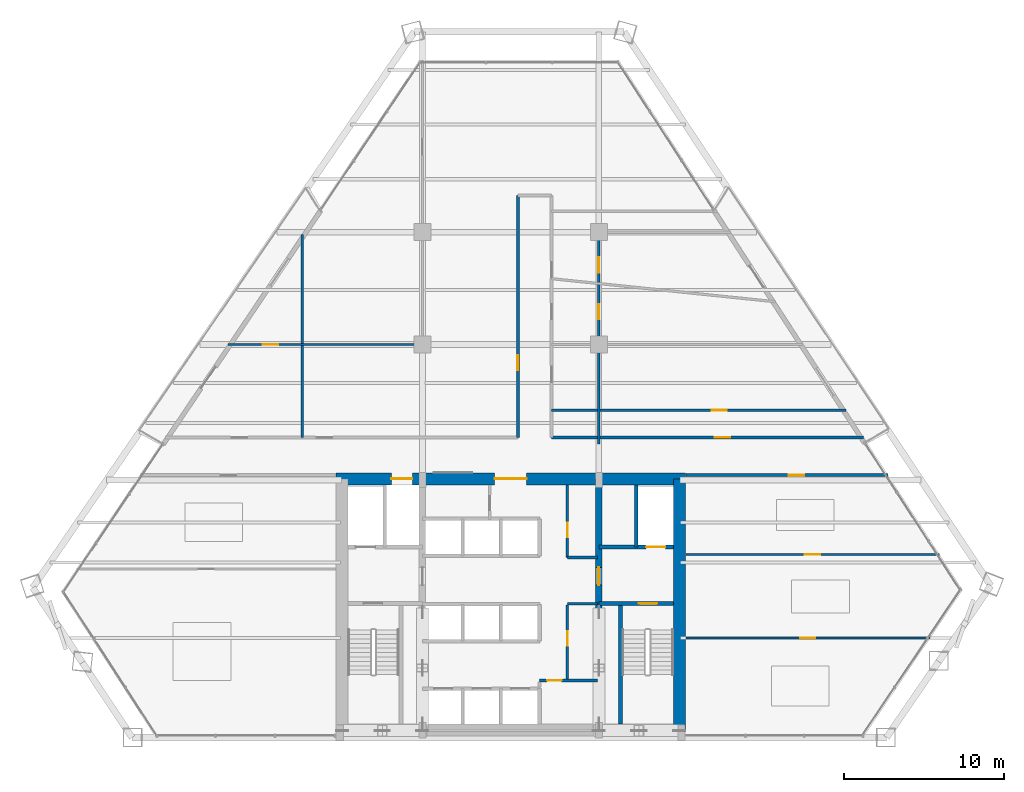
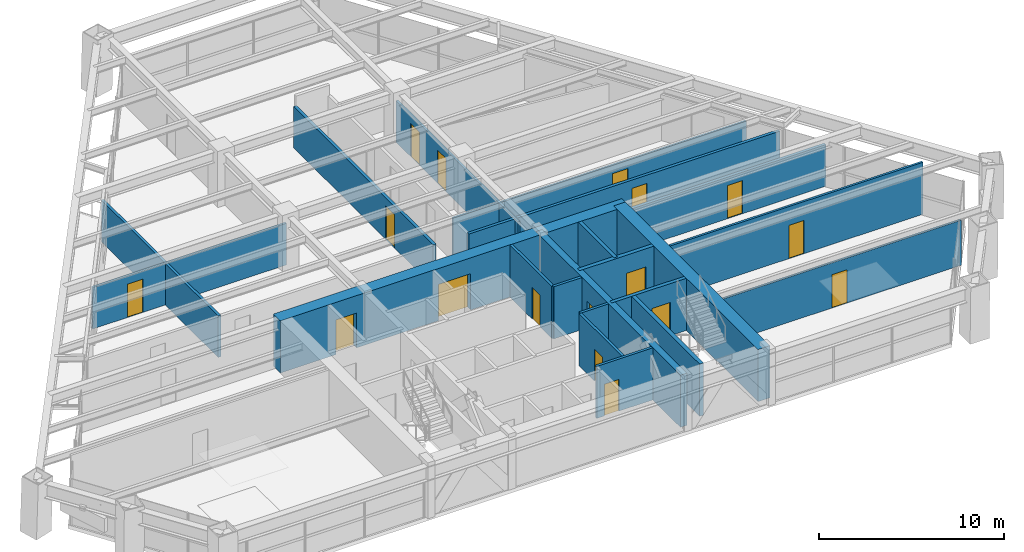
# One storey, part 11 of 14: 21 walls, 17 doors, 17 openings.
"""IFC4 building model written with IfcOpenShell, lengths in metres."""

from ifc_helpers import new_model, si_unit, direction, frame, frame_2d, origin, place, context, subcontext, project, spatial, rectangle, extrude, source, transform, mapped, material, layer, layer_set, type_object, type_shapes, element, fill, save


model = new_model("IFC4")

# Units and contexts
model_context = context("Model", 3, precision=1e-05, world=origin(), true_north=direction((0.0, 1.0)))
body_context = subcontext(model_context, "Body", "Model", "MODEL_VIEW")
ifc_project = project(units=[si_unit("LENGTHUNIT", "METRE"), si_unit("AREAUNIT", "SQUARE_METRE"), si_unit("VOLUMEUNIT", "CUBIC_METRE"), si_unit("PLANEANGLEUNIT", "RADIAN"), si_unit("MASSUNIT", "GRAM", prefix="KILO")], contexts=[model_context])

# Site, building, storey
site_placement = place(None, origin())
site = spatial("IfcSite", under=ifc_project, at=site_placement, CompositionType="ELEMENT")
building_placement = place(site_placement, origin())
building = spatial("IfcBuilding", under=site, at=building_placement, Name="Varnakhor Terracotta Tower", CompositionType="ELEMENT")
storey_placement = place(building_placement, frame((0.0, 0.0, 91.39990234375)))
storey = spatial("IfcBuildingStorey", under=building, at=storey_placement, Name="L22", CompositionType="ELEMENT", Elevation=91.39990234375)

# Wall, openings, doors
ifc_material_1 = material(Name="Concrete C60/75", Category="concrete")
ifc_layer_1 = layer(ifc_material_1, 0.75, Name="Concrete C60/75")
ifc_layer_set_1 = layer_set([ifc_layer_1], Name="Concrete C60/75")
wall_type_1 = type_object("IfcWallType", Name="WAL-CORE-750", PredefinedType="SHEAR", material=ifc_layer_set_1)
wall_1_placement = place(storey_placement, frame((-10.89990234375, 16.125, 0.0), z_axis=(0.0, 0.0, 1.0), x_axis=(1.0, 0.0, 0.0)))
wall_1 = element("IfcWall", 1, at=wall_1_placement, inside=storey, type_object=wall_type_1, Name="L22 North Core Shear Wall", PredefinedType="SHEAR", context=body_context, shape_type="SweptSolid", body=[
    extrude(rectangle(XDim=21.7998046875, YDim=0.75, at=frame_2d((10.89990234375, 0.0))), origin(), (0.0, 0.0, 1.0), 3.4501953125),
])
opening_1_placement = place(wall_1_placement, frame((3.469970703125, 0.0, 0.0)))
opening_1 = element("IfcOpeningElement", 2, at=opening_1_placement, cuts=wall_1, Name="Opening LD-03", PredefinedType="OPENING", context=body_context, shape_type="SweptSolid", body=[
    extrude(rectangle(XDim=1.300048828125, YDim=2.300048828125, at=frame_2d((0.64990234375, 1.14990234375))), frame((0.0, 0.385009765625, 0.0), z_axis=(0.0, -1.0, 0.0), x_axis=(1.0, 0.0, 0.0)), (0.0, 0.0, 1.0), 0.77001953125),
])
opening_2_placement = place(wall_1_placement, frame((9.89990234375, 0.0, 0.0)))
opening_2 = element("IfcOpeningElement", 3, at=opening_2_placement, cuts=wall_1, Name="Opening DR-32", PredefinedType="OPENING", context=body_context, shape_type="SweptSolid", body=[
    extrude(rectangle(XDim=2.0, YDim=2.39990234375, at=frame_2d((1.0, 1.199951171875))), frame((0.0, 0.385009765625, 0.0), z_axis=(0.0, -1.0, 0.0), x_axis=(1.0, 0.0, 0.0)), (0.0, 0.0, 1.0), 0.77001953125),
])
ifc_material_2 = material(Name="Heavy-Duty Goods Sliding Lift Landing Door", Category="steel")
door_type_1 = type_object("IfcDoorType", Name="LD-SRV-1300X2300", OperationType="NOTDEFINED", PredefinedType="DOOR", material=ifc_material_2)
shared_shape_1 = source(origin(), body_context, "Body", "SweptSolid", [
    extrude(rectangle(XDim=1.300048828125, YDim=2.300048828125, at=frame_2d((0.64990234375, 1.14990234375))), frame((0.0, 0.02490234375, 0.0), z_axis=(0.0, -1.0, 0.0), x_axis=(1.0, 0.0, 0.0)), (0.0, 0.0, 1.0), 0.050048828125),
])
type_shapes(door_type_1, [shared_shape_1])
door_1_placement = place(opening_1_placement, origin())
door_1 = element("IfcDoor", 4, at=door_1_placement, inside=storey, type_object=door_type_1, Name="L22 Service Lift SVL-1 Landing Door", OperationType="SLIDING_TO_RIGHT", OverallHeight=2.300048828125, OverallWidth=1.300048828125, PredefinedType="DOOR", context=body_context, shape_type="MappedRepresentation", body=[
    mapped(shared_shape_1, transform((0.0, 0.0, 0.0), scale=1.0)),
])
fill(opening_1, door_1)
ifc_material_3 = material(Name="Acoustic Double Assembly Fire Door", Category="wood")
door_type_2 = type_object("IfcDoorType", Name="DR-HALL-2000X2400", OperationType="NOTDEFINED", PredefinedType="DOOR", material=ifc_material_3)
shared_shape_2 = source(origin(), body_context, "Body", "SweptSolid", [
    extrude(rectangle(XDim=2.0, YDim=2.39990234375, at=frame_2d((1.0, 1.199951171875))), frame((0.0, 0.02490234375, 0.0), z_axis=(0.0, -1.0, 0.0), x_axis=(1.0, 0.0, 0.0)), (0.0, 0.0, 1.0), 0.050048828125),
])
type_shapes(door_type_2, [shared_shape_2])
door_2_placement = place(opening_2_placement, origin())
door_2 = element("IfcDoor", 5, at=door_2_placement, inside=storey, type_object=door_type_2, Name="L22 Core Main Lobby Double Door", OperationType="DOUBLE_DOOR_SINGLE_SWING", OverallHeight=2.39990234375, OverallWidth=2.0, PredefinedType="DOOR", context=body_context, shape_type="MappedRepresentation", body=[
    mapped(shared_shape_2, transform((0.0, 0.0, 0.0), scale=1.0)),
])
fill(opening_2, door_2)

# Wall
wall_2_placement = place(storey_placement, frame((10.52490234375, 0.47509765625, 0.0), z_axis=(0.0, 0.0, 1.0), x_axis=(0.0, 1.0, 0.0)))
element("IfcWall", 6, at=wall_2_placement, inside=storey, type_object=wall_type_1, Name="L22 East Core Shear Wall", PredefinedType="SHEAR", context=body_context, shape_type="SweptSolid", body=[
    extrude(rectangle(XDim=15.64990234375, YDim=0.75, at=frame_2d((7.824951171875, 0.0))), origin(), (0.0, 0.0, 1.0), 3.4501953125),
])

# Wall, opening, door
ifc_material_4 = material(Name="Concrete C50/60", Category="concrete")
ifc_layer_2 = layer(ifc_material_4, 0.39990234375, Name="Concrete C50/60")
ifc_layer_set_2 = layer_set([ifc_layer_2], Name="Concrete C50/60")
wall_type_2 = type_object("IfcWallType", Name="WAL-CORE-WEB-400", PredefinedType="SHEAR", material=ifc_layer_set_2)
wall_3_placement = place(storey_placement, frame((5.5, 0.47509765625, 0.0), z_axis=(0.0, 0.0, 1.0), x_axis=(0.0, 1.0, 0.0)))
wall_3 = element("IfcWall", 7, at=wall_3_placement, inside=storey, type_object=wall_type_2, Name="L22 East Core Web Shear Wall", PredefinedType="SHEAR", context=body_context, shape_type="SweptSolid", body=[
    extrude(rectangle(XDim=15.64990234375, YDim=0.39990234375, at=frame_2d((7.824951171875, 0.0))), origin(), (0.0, 0.0, 1.0), 3.4501953125),
])
opening_3_placement = place(wall_3_placement, frame((9.02490234375, 0.0, 0.0)))
opening_3 = element("IfcOpeningElement", 8, at=opening_3_placement, cuts=wall_3, Name="Opening DR-25", PredefinedType="OPENING", context=body_context, shape_type="SweptSolid", body=[
    extrude(rectangle(XDim=1.10009765625, YDim=2.199951171875, at=frame_2d((0.550048828125, 1.10009765625))), frame((0.0, 0.2099609375, 0.0), z_axis=(0.0, -1.0, 0.0), x_axis=(1.0, 0.0, 0.0)), (0.0, 0.0, 1.0), 0.419921875),
])
ifc_material_5 = material(Name="Firefighting Lobby Self-Closing Fire Door", Category="steel")
door_type_3 = type_object("IfcDoorType", Name="DR-FFL-1100X2200", OperationType="NOTDEFINED", PredefinedType="DOOR", material=ifc_material_5)
shared_shape_3 = source(origin(), body_context, "Body", "SweptSolid", [
    extrude(rectangle(XDim=1.10009765625, YDim=2.199951171875, at=frame_2d((0.550048828125, 1.10009765625))), frame((0.0, 0.02490234375, 0.0), z_axis=(0.0, -1.0, 0.0), x_axis=(1.0, 0.0, 0.0)), (0.0, 0.0, 1.0), 0.050048828125),
])
type_shapes(door_type_3, [shared_shape_3])
door_3_placement = place(opening_3_placement, origin())
door_3 = element("IfcDoor", 9, at=door_3_placement, inside=storey, type_object=door_type_3, Name="L22 East Firefighting Lobby Door", OperationType="SINGLE_SWING_RIGHT", OverallHeight=2.199951171875, OverallWidth=1.10009765625, PredefinedType="DOOR", context=body_context, shape_type="MappedRepresentation", body=[
    mapped(shared_shape_3, transform((0.0, 0.0, 0.0), scale=1.0)),
])
fill(opening_3, door_3)

ifc_material_6 = material(Name="Fire-Rated Gypsum Stud Partition", Category="gypsum")
ifc_layer_3 = layer(ifc_material_6, 0.18505859375, Name="Fire-Rated Gypsum Stud Partition")
ifc_layer_set_3 = layer_set([ifc_layer_3], Name="Fire-Rated Gypsum Stud Partition")
wall_type_3 = type_object("IfcWallType", Name="WAL-CORR-185", PredefinedType="PARTITIONING", material=ifc_layer_set_3)
wall_4_placement = place(storey_placement, frame((10.919921875, 16.35009765625, 0.0), z_axis=(0.0, 0.0, 1.0), x_axis=(1.0, 0.0, 0.0)))
wall_4 = element("IfcWall", 10, at=wall_4_placement, inside=storey, type_object=wall_type_3, Name="L22 South East Corridor Wall", PredefinedType="PARTITIONING", context=body_context, shape_type="SweptSolid", body=[
    extrude(rectangle(XDim=12.60009765625, YDim=0.18505859375, at=frame_2d((6.300048828125, 0.0))), origin(), (0.0, 0.0, 1.0), 2.7470703125),
])
opening_4_placement = place(wall_4_placement, frame((6.4208984375, 0.0, 0.0)))
opening_4 = element("IfcOpeningElement", 11, at=opening_4_placement, cuts=wall_4, Name="Opening DR-94", PredefinedType="OPENING", context=body_context, shape_type="SweptSolid", body=[
    extrude(rectangle(XDim=0.949951171875, YDim=2.199951171875, at=frame_2d((0.47509765625, 1.10009765625))), frame((0.0, 0.1025390625, 0.0), z_axis=(0.0, -1.0, 0.0), x_axis=(1.0, 0.0, 0.0)), (0.0, 0.0, 1.0), 0.205078125),
])
ifc_material_7 = material(Name="Acoustic Glazed-Vision Timber Office Door", Category="wood")
door_type_4 = type_object("IfcDoorType", Name="DR-OFF-950X2200", OperationType="NOTDEFINED", PredefinedType="DOOR", material=ifc_material_7)
shared_shape_4 = source(origin(), body_context, "Body", "SweptSolid", [
    extrude(rectangle(XDim=0.949951171875, YDim=2.199951171875, at=frame_2d((0.47509765625, 1.10009765625))), frame((0.0, 0.02490234375, 0.0), z_axis=(0.0, -1.0, 0.0), x_axis=(1.0, 0.0, 0.0)), (0.0, 0.0, 1.0), 0.050048828125),
])
type_shapes(door_type_4, [shared_shape_4])
door_4_placement = place(opening_4_placement, origin())
door_4 = element("IfcDoor", 12, at=door_4_placement, inside=storey, type_object=door_type_4, Name="L22 SE Suite Door", OperationType="SINGLE_SWING_RIGHT", OverallHeight=2.199951171875, OverallWidth=0.949951171875, PredefinedType="DOOR", context=body_context, shape_type="MappedRepresentation", body=[
    mapped(shared_shape_4, transform((0.0, 0.0, 0.0), scale=1.0)),
])
fill(opening_4, door_4)

wall_5_placement = place(storey_placement, frame((2.550048828125, 18.699951171875, 0.0), z_axis=(0.0, 0.0, 1.0), x_axis=(1.0, 0.0, 0.0)))
wall_5 = element("IfcWall", 13, at=wall_5_placement, inside=storey, type_object=wall_type_3, Name="L22 Corridor North East Wall", PredefinedType="PARTITIONING", context=body_context, shape_type="SweptSolid", body=[
    extrude(rectangle(XDim=19.445556640625, YDim=0.18505859375, at=frame_2d((9.72265625, 0.0))), origin(), (0.0, 0.0, 1.0), 2.7470703125),
])
opening_5_placement = place(wall_5_placement, frame((10.18603515625, 0.0, 0.0)))
opening_5 = element("IfcOpeningElement", 14, at=opening_5_placement, cuts=wall_5, Name="Opening DR-94", PredefinedType="OPENING", context=body_context, shape_type="SweptSolid", body=[
    extrude(rectangle(XDim=0.949951171875, YDim=2.199951171875, at=frame_2d((0.47509765625, 1.10009765625))), frame((0.0, 0.1025390625, 0.0), z_axis=(0.0, -1.0, 0.0), x_axis=(1.0, 0.0, 0.0)), (0.0, 0.0, 1.0), 0.205078125),
])
door_5_placement = place(opening_5_placement, origin())
door_5 = element("IfcDoor", 15, at=door_5_placement, inside=storey, type_object=door_type_4, Name="L22 East Workplace Door", OperationType="SINGLE_SWING_RIGHT", OverallHeight=2.199951171875, OverallWidth=0.949951171875, PredefinedType="DOOR", context=body_context, shape_type="MappedRepresentation", body=[
    mapped(shared_shape_4, transform((0.0, 0.0, 0.0), scale=1.0)),
])
fill(opening_5, door_5)

wall_6_placement = place(storey_placement, frame((0.449951171875, 18.699951171875, 0.0), z_axis=(0.0, 0.0, 1.0), x_axis=(0.0, 1.0, 0.0)))
wall_6 = element("IfcWall", 16, at=wall_6_placement, inside=storey, type_object=wall_type_3, Name="L22 Spine West Wall", PredefinedType="PARTITIONING", context=body_context, shape_type="SweptSolid", body=[
    extrude(rectangle(XDim=15.10009765625, YDim=0.18505859375, at=frame_2d((7.550048828125, 0.0))), origin(), (0.0, 0.0, 1.0), 2.7470703125),
])
opening_6_placement = place(wall_6_placement, frame((4.19091796875, 0.0, 0.0)))
opening_6 = element("IfcOpeningElement", 17, at=opening_6_placement, cuts=wall_6, Name="Opening DR-94", PredefinedType="OPENING", context=body_context, shape_type="SweptSolid", body=[
    extrude(rectangle(XDim=0.949951171875, YDim=2.199951171875, at=frame_2d((0.47509765625, 1.10009765625))), frame((0.0, 0.1025390625, 0.0), z_axis=(0.0, -1.0, 0.0), x_axis=(1.0, 0.0, 0.0)), (0.0, 0.0, 1.0), 0.205078125),
])
door_6_placement = place(opening_6_placement, origin())
door_6 = element("IfcDoor", 18, at=door_6_placement, inside=storey, type_object=door_type_4, Name="L22 Spine West Door", OperationType="SINGLE_SWING_LEFT", OverallHeight=2.199951171875, OverallWidth=0.949951171875, PredefinedType="DOOR", context=body_context, shape_type="MappedRepresentation", body=[
    mapped(shared_shape_4, transform((0.0, 0.0, 0.0), scale=1.0)),
])
fill(opening_6, door_6)

ifc_material_8 = material(Name="Concrete C40/50", Category="concrete")
ifc_layer_4 = layer(ifc_material_8, 0.219970703125, Name="Concrete C40/50")
ifc_layer_set_4 = layer_set([ifc_layer_4], Name="Concrete C40/50")
wall_type_4 = type_object("IfcWallType", Name="WAL-FFLOBBY-220", PredefinedType="SOLIDWALL", material=ifc_layer_set_4)
wall_7_placement = place(storey_placement, frame((10.14990234375, 8.35009765625, 0.0), z_axis=(0.0, 0.0, 1.0), x_axis=(-1.0, 0.0, 0.0)))
wall_7 = element("IfcWall", 19, at=wall_7_placement, inside=storey, type_object=wall_type_4, Name="L22 East Firefighting Lobby Stair Wall", PredefinedType="SOLIDWALL", context=body_context, shape_type="SweptSolid", body=[
    extrude(rectangle(XDim=4.64990234375, YDim=0.219970703125, at=frame_2d((2.324951171875, 0.0))), origin(), (0.0, 0.0, 1.0), 3.4501953125),
])
opening_7_placement = place(wall_7_placement, frame((1.0, 0.0, 0.0)))
opening_7 = element("IfcOpeningElement", 20, at=opening_7_placement, cuts=wall_7, Name="Opening DR-34", PredefinedType="OPENING", context=body_context, shape_type="SweptSolid", body=[
    extrude(rectangle(XDim=1.14990234375, YDim=2.199951171875, at=frame_2d((0.574951171875, 1.10009765625))), frame((0.0, 0.1201171875, 0.0), z_axis=(0.0, -1.0, 0.0), x_axis=(1.0, 0.0, 0.0)), (0.0, 0.0, 1.0), 0.239990234375),
])
ifc_material_9 = material(Name="Self-Closing Smoke-Sealed Steel Fire Door", Category="steel")
door_type_5 = type_object("IfcDoorType", Name="DR-STAIR-1150X2200", OperationType="NOTDEFINED", PredefinedType="DOOR", material=ifc_material_9)
shared_shape_5 = source(origin(), body_context, "Body", "SweptSolid", [
    extrude(rectangle(XDim=1.14990234375, YDim=2.199951171875, at=frame_2d((0.574951171875, 1.10009765625))), frame((0.0, 0.02490234375, 0.0), z_axis=(0.0, -1.0, 0.0), x_axis=(1.0, 0.0, 0.0)), (0.0, 0.0, 1.0), 0.050048828125),
])
type_shapes(door_type_5, [shared_shape_5])
door_7_placement = place(opening_7_placement, origin())
door_7 = element("IfcDoor", 21, at=door_7_placement, inside=storey, type_object=door_type_5, Name="L22 Exit Stair ST-2 Fire Door", OperationType="SINGLE_SWING_LEFT", OverallHeight=2.199951171875, OverallWidth=1.14990234375, PredefinedType="DOOR", context=body_context, shape_type="MappedRepresentation", body=[
    mapped(shared_shape_5, transform((0.0, 0.0, 0.0), scale=1.0)),
])
fill(opening_7, door_7)

# Wall, openings, doors
ifc_material_10 = material(Name="Acoustic Metal-Stud Partition", Category="gypsum")
ifc_layer_5 = layer(ifc_material_10, 0.139892578125, Name="Acoustic Metal-Stud Partition")
ifc_layer_set_5 = layer_set([ifc_layer_5], Name="Acoustic Metal-Stud Partition")
wall_type_5 = type_object("IfcWallType", Name="WAL-PART-140", PredefinedType="PARTITIONING", material=ifc_layer_set_5)
wall_8_placement = place(storey_placement, frame((5.5, 18.300048828125, 0.0), z_axis=(0.0, 0.0, 1.0), x_axis=(0.0, 1.0, 0.0)))
wall_8 = element("IfcWall", 22, at=wall_8_placement, inside=storey, type_object=wall_type_5, Name="L22 East Lower Column Wall", PredefinedType="PARTITIONING", context=body_context, shape_type="SweptSolid", body=[
    extrude(rectangle(XDim=13.199951171875, YDim=0.139892578125, at=frame_2d((6.60009765625, 0.0))), origin(), (0.0, 0.0, 1.0), 2.7470703125),
])
opening_8_placement = place(wall_8_placement, frame((10.679443359375, 0.0, 0.0)))
opening_8 = element("IfcOpeningElement", 23, at=opening_8_placement, cuts=wall_8, Name="Opening DR-94", PredefinedType="OPENING", context=body_context, shape_type="SweptSolid", body=[
    extrude(rectangle(XDim=0.949951171875, YDim=2.199951171875, at=frame_2d((0.47509765625, 1.10009765625))), frame((0.0, 0.080078125, 0.0), z_axis=(0.0, -1.0, 0.0), x_axis=(1.0, 0.0, 0.0)), (0.0, 0.0, 1.0), 0.159912109375),
])
opening_9_placement = place(wall_8_placement, frame((7.771484375, 0.0, 0.0)))
opening_9 = element("IfcOpeningElement", 24, at=opening_9_placement, cuts=wall_8, Name="Opening DR-94", PredefinedType="OPENING", context=body_context, shape_type="SweptSolid", body=[
    extrude(rectangle(XDim=0.949951171875, YDim=2.199951171875, at=frame_2d((0.47509765625, 1.10009765625))), frame((0.0, 0.080078125, 0.0), z_axis=(0.0, -1.0, 0.0), x_axis=(1.0, 0.0, 0.0)), (0.0, 0.0, 1.0), 0.159912109375),
])
door_8_placement = place(opening_8_placement, origin())
door_8 = element("IfcDoor", 25, at=door_8_placement, inside=storey, type_object=door_type_4, Name="L22 Pantry Kitchenette Door", OperationType="SINGLE_SWING_LEFT", OverallHeight=2.199951171875, OverallWidth=0.949951171875, PredefinedType="DOOR", context=body_context, shape_type="MappedRepresentation", body=[
    mapped(shared_shape_4, transform((0.0, 0.0, 0.0), scale=1.0)),
])
fill(opening_8, door_8)
door_9_placement = place(opening_9_placement, origin())
door_9 = element("IfcDoor", 26, at=door_9_placement, inside=storey, type_object=door_type_4, Name="L22 Boardroom Apex Door", OperationType="SINGLE_SWING_RIGHT", OverallHeight=2.199951171875, OverallWidth=0.949951171875, PredefinedType="DOOR", context=body_context, shape_type="MappedRepresentation", body=[
    mapped(shared_shape_4, transform((0.0, 0.0, 0.0), scale=1.0)),
])
fill(opening_9, door_9)

# Wall, opening, door
wall_9_placement = place(storey_placement, frame((-17.61962890625, 24.5, 0.0), z_axis=(0.0, 0.0, 1.0), x_axis=(1.0, 0.0, 0.0)))
wall_9 = element("IfcWall", 27, at=wall_9_placement, inside=storey, type_object=wall_type_5, Name="L22 Mid West Column Wall", PredefinedType="PARTITIONING", context=body_context, shape_type="SweptSolid", body=[
    extrude(rectangle(XDim=12.11962890625, YDim=0.139892578125, at=frame_2d((6.059814453125, 0.0))), origin(), (0.0, 0.0, 1.0), 2.7470703125),
])
opening_10_placement = place(wall_9_placement, frame((2.18115234375, 0.0, 0.0)))
opening_10 = element("IfcOpeningElement", 28, at=opening_10_placement, cuts=wall_9, Name="Opening DR-94", PredefinedType="OPENING", context=body_context, shape_type="SweptSolid", body=[
    extrude(rectangle(XDim=0.949951171875, YDim=2.199951171875, at=frame_2d((0.47509765625, 1.10009765625))), frame((0.0, 0.080078125, 0.0), z_axis=(0.0, -1.0, 0.0), x_axis=(1.0, 0.0, 0.0)), (0.0, 0.0, 1.0), 0.159912109375),
])
door_10_placement = place(opening_10_placement, origin())
door_10 = element("IfcDoor", 29, at=door_10_placement, inside=storey, type_object=door_type_4, Name="L22 Advisory Office E3 Door", OperationType="SINGLE_SWING_LEFT", OverallHeight=2.199951171875, OverallWidth=0.949951171875, PredefinedType="DOOR", context=body_context, shape_type="MappedRepresentation", body=[
    mapped(shared_shape_4, transform((0.0, 0.0, 0.0), scale=1.0)),
])
fill(opening_10, door_10)

wall_10_placement = place(storey_placement, frame((2.550048828125, 20.39990234375, 0.0), z_axis=(0.0, 0.0, 1.0), x_axis=(1.0, 0.0, 0.0)))
wall_10 = element("IfcWall", 30, at=wall_10_placement, inside=storey, type_object=wall_type_5, Name="L22 East Wing Cut 1", PredefinedType="PARTITIONING", context=body_context, shape_type="SweptSolid", body=[
    extrude(rectangle(XDim=18.3427734375, YDim=0.139892578125, at=frame_2d((9.17138671875, 0.0))), origin(), (0.0, 0.0, 1.0), 2.7470703125),
])
opening_11_placement = place(wall_10_placement, frame((9.974853515625, 0.0, 0.0)))
opening_11 = element("IfcOpeningElement", 31, at=opening_11_placement, cuts=wall_10, Name="Opening DR-94", PredefinedType="OPENING", context=body_context, shape_type="SweptSolid", body=[
    extrude(rectangle(XDim=0.949951171875, YDim=2.199951171875, at=frame_2d((0.47509765625, 1.10009765625))), frame((0.0, 0.080078125, 0.0), z_axis=(0.0, -1.0, 0.0), x_axis=(1.0, 0.0, 0.0)), (0.0, 0.0, 1.0), 0.159912109375),
])
door_11_placement = place(opening_11_placement, origin())
door_11 = element("IfcDoor", 32, at=door_11_placement, inside=storey, type_object=door_type_4, Name="L22 Advisory Office E1 B9 Door", OperationType="SINGLE_SWING_RIGHT", OverallHeight=2.199951171875, OverallWidth=0.949951171875, PredefinedType="DOOR", context=body_context, shape_type="MappedRepresentation", body=[
    mapped(shared_shape_4, transform((0.0, 0.0, 0.0), scale=1.0)),
])
fill(opening_11, door_11)

wall_11_placement = place(storey_placement, frame((10.919921875, 6.199951171875, 0.0), z_axis=(0.0, 0.0, 1.0), x_axis=(1.0, 0.0, 0.0)))
wall_11 = element("IfcWall", 33, at=wall_11_placement, inside=storey, type_object=wall_type_5, Name="L22 South East Cut 1", PredefinedType="PARTITIONING", context=body_context, shape_type="SweptSolid", body=[
    extrude(rectangle(XDim=15.220458984375, YDim=0.139892578125, at=frame_2d((7.6103515625, 0.0))), origin(), (0.0, 0.0, 1.0), 2.97900390625),
])
opening_12_placement = place(wall_11_placement, frame((7.123291015625, 0.0, 0.0)))
opening_12 = element("IfcOpeningElement", 34, at=opening_12_placement, cuts=wall_11, Name="Opening DR-94", PredefinedType="OPENING", context=body_context, shape_type="SweptSolid", body=[
    extrude(rectangle(XDim=0.949951171875, YDim=2.199951171875, at=frame_2d((0.47509765625, 1.10009765625))), frame((0.0, 0.080078125, 0.0), z_axis=(0.0, -1.0, 0.0), x_axis=(1.0, 0.0, 0.0)), (0.0, 0.0, 1.0), 0.159912109375),
])
door_12_placement = place(opening_12_placement, origin())
door_12 = element("IfcDoor", 35, at=door_12_placement, inside=storey, type_object=door_type_4, Name="L22 South East Conference Room Door", OperationType="SINGLE_SWING_LEFT", OverallHeight=2.199951171875, OverallWidth=0.949951171875, PredefinedType="DOOR", context=body_context, shape_type="MappedRepresentation", body=[
    mapped(shared_shape_4, transform((0.0, 0.0, 0.0), scale=1.0)),
])
fill(opening_12, door_12)

wall_12_placement = place(storey_placement, frame((10.919921875, 11.39990234375, 0.0), z_axis=(0.0, 0.0, 1.0), x_axis=(1.0, 0.0, 0.0)))
wall_12 = element("IfcWall", 36, at=wall_12_placement, inside=storey, type_object=wall_type_5, Name="L22 South East Cut 2", PredefinedType="PARTITIONING", context=body_context, shape_type="SweptSolid", body=[
    extrude(rectangle(XDim=15.810791015625, YDim=0.139892578125, at=frame_2d((7.9052734375, 0.0))), origin(), (0.0, 0.0, 1.0), 3.442138671875),
])
opening_13_placement = place(wall_12_placement, frame((7.421142578125, 0.0, 0.0)))
opening_13 = element("IfcOpeningElement", 37, at=opening_13_placement, cuts=wall_12, Name="Opening DR-94", PredefinedType="OPENING", context=body_context, shape_type="SweptSolid", body=[
    extrude(rectangle(XDim=0.949951171875, YDim=2.199951171875, at=frame_2d((0.47509765625, 1.10009765625))), frame((0.0, 0.080078125, 0.0), z_axis=(0.0, -1.0, 0.0), x_axis=(1.0, 0.0, 0.0)), (0.0, 0.0, 1.0), 0.159912109375),
])
door_13_placement = place(opening_13_placement, origin())
door_13 = element("IfcDoor", 38, at=door_13_placement, inside=storey, type_object=door_type_4, Name="L22 Advisory Office E3 B3 Door", OperationType="SINGLE_SWING_RIGHT", OverallHeight=2.199951171875, OverallWidth=0.949951171875, PredefinedType="DOOR", context=body_context, shape_type="MappedRepresentation", body=[
    mapped(shared_shape_4, transform((0.0, 0.0, 0.0), scale=1.0)),
])
fill(opening_13, door_13)

# Walls
ifc_layer_6 = layer(ifc_material_8, 0.219970703125, Name="Concrete C40/50")
ifc_layer_set_6 = layer_set([ifc_layer_6], Name="Concrete C40/50")
wall_type_6 = type_object("IfcWallType", Name="WAL-SHAFT-220", PredefinedType="SOLIDWALL", material=ifc_layer_set_6)
wall_13_placement = place(storey_placement, frame((7.840087890625, 11.8701171875, 0.0), z_axis=(0.0, 0.0, 1.0), x_axis=(0.0, 1.0, 0.0)))
element("IfcWall", 39, at=wall_13_placement, inside=storey, type_object=wall_type_6, Name="L22 Lift FFL-2 and Riser Divider Wall", PredefinedType="SOLIDWALL", context=body_context, shape_type="SweptSolid", body=[
    extrude(rectangle(XDim=3.8798828125, YDim=0.219970703125, at=frame_2d((1.93994140625, 0.0))), origin(), (0.0, 0.0, 1.0), 3.4501953125),
])
ifc_layer_7 = layer(ifc_material_8, 0.25, Name="Concrete C40/50")
ifc_layer_set_7 = layer_set([ifc_layer_7], Name="Concrete C40/50")
wall_type_7 = type_object("IfcWallType", Name="WAL-SHAFT-250", PredefinedType="SOLIDWALL", material=ifc_layer_set_7)
wall_14_placement = place(storey_placement, frame((6.85009765625, 0.85009765625, 0.0), z_axis=(0.0, 0.0, 1.0), x_axis=(0.0, 1.0, 0.0)))
element("IfcWall", 40, at=wall_14_placement, inside=storey, type_object=wall_type_7, Name="L22 Stair ST-2 Bearing Shaft Wall", PredefinedType="SOLIDWALL", context=body_context, shape_type="SweptSolid", body=[
    extrude(rectangle(XDim=7.5, YDim=0.25, at=frame_2d((3.75, 0.0))), origin(), (0.0, 0.0, 1.0), 3.4501953125),
])

# Wall, opening, door
wall_15_placement = place(storey_placement, frame((10.14990234375, 11.8701171875, 0.0), z_axis=(0.0, 0.0, 1.0), x_axis=(-1.0, 0.0, 0.0)))
wall_15 = element("IfcWall", 41, at=wall_15_placement, inside=storey, type_object=wall_type_7, Name="L22 Lift FFL-2 Shaft Front Wall", PredefinedType="SOLIDWALL", context=body_context, shape_type="SweptSolid", body=[
    extrude(rectangle(XDim=4.64990234375, YDim=0.25, at=frame_2d((2.324951171875, 0.0))), origin(), (0.0, 0.0, 1.0), 3.4501953125),
])
opening_14_placement = place(wall_15_placement, frame((0.5, 0.0, 0.0)))
opening_14 = element("IfcOpeningElement", 42, at=opening_14_placement, cuts=wall_15, Name="Opening LD-02", PredefinedType="OPENING", context=body_context, shape_type="SweptSolid", body=[
    extrude(rectangle(XDim=1.199951171875, YDim=2.25, at=frame_2d((0.60009765625, 1.125))), frame((0.0, 0.135009765625, 0.0), z_axis=(0.0, -1.0, 0.0), x_axis=(1.0, 0.0, 0.0)), (0.0, 0.0, 1.0), 0.27001953125),
])
ifc_material_11 = material(Name="Firefighting Stretcher Sliding Lift Landing Door", Category="steel")
door_type_6 = type_object("IfcDoorType", Name="LD-FFL-1200X2250", OperationType="NOTDEFINED", PredefinedType="DOOR", material=ifc_material_11)
shared_shape_6 = source(origin(), body_context, "Body", "SweptSolid", [
    extrude(rectangle(XDim=1.199951171875, YDim=2.25, at=frame_2d((0.60009765625, 1.125))), frame((0.0, 0.02490234375, 0.0), z_axis=(0.0, -1.0, 0.0), x_axis=(1.0, 0.0, 0.0)), (0.0, 0.0, 1.0), 0.050048828125),
])
type_shapes(door_type_6, [shared_shape_6])
door_14_placement = place(opening_14_placement, origin())
door_14 = element("IfcDoor", 43, at=door_14_placement, inside=storey, type_object=door_type_6, Name="L22 Firefighting Lift FFL-2 Landing Door", OperationType="SLIDING_TO_RIGHT", OverallHeight=2.25, OverallWidth=1.199951171875, PredefinedType="DOOR", context=body_context, shape_type="MappedRepresentation", body=[
    mapped(shared_shape_6, transform((0.0, 0.0, 0.0), scale=1.0)),
])
fill(opening_14, door_14)

ifc_material_12 = material(Name="Acoustic Fire-Rated Partition", Category="gypsum")
ifc_layer_8 = layer(ifc_material_12, 0.1650390625, Name="Acoustic Fire-Rated Partition")
ifc_layer_set_8 = layer_set([ifc_layer_8], Name="Acoustic Fire-Rated Partition")
wall_type_8 = type_object("IfcWallType", Name="WAL-TENANCY-165", PredefinedType="PARTITIONING", material=ifc_layer_set_8)
wall_16_placement = place(storey_placement, frame((3.5400390625, 3.632568359375, 0.0), z_axis=(0.0, 0.0, 1.0), x_axis=(0.0, 1.0, 0.0)))
wall_16 = element("IfcWall", 44, at=wall_16_placement, inside=storey, type_object=wall_type_8, Name="L22 Core Service Rated Wall", PredefinedType="PARTITIONING", context=body_context, shape_type="SweptSolid", body=[
    extrude(rectangle(XDim=4.625, YDim=0.1650390625, at=frame_2d((2.3125, 0.0))), origin(), (0.0, 0.0, 1.0), 3.442138671875),
])
opening_15_placement = place(wall_16_placement, frame((2.081298828125, 0.0, 0.0)))
opening_15 = element("IfcOpeningElement", 45, at=opening_15_placement, cuts=wall_16, Name="Opening DR-67", PredefinedType="OPENING", context=body_context, shape_type="SweptSolid", body=[
    extrude(rectangle(XDim=0.89990234375, YDim=2.10009765625, at=frame_2d((0.449951171875, 1.050048828125))), frame((0.0, 0.092529296875, 0.0), z_axis=(0.0, -1.0, 0.0), x_axis=(1.0, 0.0, 0.0)), (0.0, 0.0, 1.0), 0.18505859375),
])
ifc_material_13 = material(Name="Steel Service Riser Fire Door", Category="steel")
door_type_7 = type_object("IfcDoorType", Name="DR-RISER-900X2100", OperationType="NOTDEFINED", PredefinedType="DOOR", material=ifc_material_13)
shared_shape_7 = source(origin(), body_context, "Body", "SweptSolid", [
    extrude(rectangle(XDim=0.89990234375, YDim=2.10009765625, at=frame_2d((0.449951171875, 1.050048828125))), frame((0.0, 0.02490234375, 0.0), z_axis=(0.0, -1.0, 0.0), x_axis=(1.0, 0.0, 0.0)), (0.0, 0.0, 1.0), 0.050048828125),
])
type_shapes(door_type_7, [shared_shape_7])
door_15_placement = place(opening_15_placement, origin())
door_15 = element("IfcDoor", 46, at=door_15_placement, inside=storey, type_object=door_type_7, Name="L22 Core Accessible WC Door", OperationType="SINGLE_SWING_RIGHT", OverallHeight=2.10009765625, OverallWidth=0.89990234375, PredefinedType="DOOR", context=body_context, shape_type="MappedRepresentation", body=[
    mapped(shared_shape_7, transform((0.0, 0.0, 0.0), scale=1.0)),
])
fill(opening_15, door_15)

# Wall
wall_17_placement = place(storey_placement, frame((3.5400390625, 8.340087890625, 0.0), z_axis=(0.0, 0.0, 1.0), x_axis=(1.0, 0.0, 0.0)))
element("IfcWall", 47, at=wall_17_placement, inside=storey, type_object=wall_type_8, Name="L22 Accessible WC North Wall", PredefinedType="PARTITIONING", context=body_context, shape_type="SweptSolid", body=[
    extrude(rectangle(XDim=1.8798828125, YDim=0.1650390625, at=frame_2d((0.93994140625, 0.0))), origin(), (0.0, 0.0, 1.0), 3.442138671875),
])

# Wall, opening, door
wall_18_placement = place(storey_placement, frame((1.800048828125, 3.550048828125, 0.0), z_axis=(0.0, 0.0, 1.0), x_axis=(1.0, 0.0, 0.0)))
wall_18 = element("IfcWall", 48, at=wall_18_placement, inside=storey, type_object=wall_type_8, Name="L22 Core South Service Rated Wall", PredefinedType="PARTITIONING", context=body_context, shape_type="SweptSolid", body=[
    extrude(rectangle(XDim=3.619873046875, YDim=0.1650390625, at=frame_2d((1.81005859375, 0.0))), origin(), (0.0, 0.0, 1.0), 3.442138671875),
])
opening_16_placement = place(wall_18_placement, frame((0.47998046875, 0.0, 0.0)))
opening_16 = element("IfcOpeningElement", 49, at=opening_16_placement, cuts=wall_18, Name="Opening DR-67", PredefinedType="OPENING", context=body_context, shape_type="SweptSolid", body=[
    extrude(rectangle(XDim=0.89990234375, YDim=2.10009765625, at=frame_2d((0.449951171875, 1.050048828125))), frame((0.0, 0.092529296875, 0.0), z_axis=(0.0, -1.0, 0.0), x_axis=(1.0, 0.0, 0.0)), (0.0, 0.0, 1.0), 0.18505859375),
])
door_16_placement = place(opening_16_placement, origin())
door_16 = element("IfcDoor", 50, at=door_16_placement, inside=storey, type_object=door_type_7, Name="L22 Core IT Room Door", OperationType="SINGLE_SWING_LEFT", OverallHeight=2.10009765625, OverallWidth=0.89990234375, PredefinedType="DOOR", context=body_context, shape_type="MappedRepresentation", body=[
    mapped(shared_shape_7, transform((0.0, 0.0, 0.0), scale=1.0)),
])
fill(opening_16, door_16)

wall_19_placement = place(storey_placement, frame((3.5400390625, 11.219970703125, 0.0), z_axis=(0.0, 0.0, 1.0), x_axis=(0.0, 1.0, 0.0)))
wall_19 = element("IfcWall", 51, at=wall_19_placement, inside=storey, type_object=wall_type_8, Name="L22 Restroom Corridor Wall", PredefinedType="PARTITIONING", context=body_context, shape_type="SweptSolid", body=[
    extrude(rectangle(XDim=4.530029296875, YDim=0.1650390625, at=frame_2d((2.26513671875, 0.0))), origin(), (0.0, 0.0, 1.0), 3.442138671875),
])
opening_17_placement = place(wall_19_placement, frame((1.25, 0.0, 0.0)))
opening_17 = element("IfcOpeningElement", 52, at=opening_17_placement, cuts=wall_19, Name="Opening DR-67", PredefinedType="OPENING", context=body_context, shape_type="SweptSolid", body=[
    extrude(rectangle(XDim=0.89990234375, YDim=2.10009765625, at=frame_2d((0.449951171875, 1.050048828125))), frame((0.0, 0.092529296875, 0.0), z_axis=(0.0, -1.0, 0.0), x_axis=(1.0, 0.0, 0.0)), (0.0, 0.0, 1.0), 0.18505859375),
])
door_17_placement = place(opening_17_placement, origin())
door_17 = element("IfcDoor", 53, at=door_17_placement, inside=storey, type_object=door_type_7, Name="L22 Female WC Door", OperationType="SINGLE_SWING_RIGHT", OverallHeight=2.10009765625, OverallWidth=0.89990234375, PredefinedType="DOOR", context=body_context, shape_type="MappedRepresentation", body=[
    mapped(shared_shape_7, transform((0.0, 0.0, 0.0), scale=1.0)),
])
fill(opening_17, door_17)

# Walls
wall_20_placement = place(storey_placement, frame((3.5400390625, 11.219970703125, 0.0), z_axis=(0.0, 0.0, 1.0), x_axis=(1.0, 0.0, 0.0)))
element("IfcWall", 54, at=wall_20_placement, inside=storey, type_object=wall_type_8, Name="L22 Restroom South Wall", PredefinedType="PARTITIONING", context=body_context, shape_type="SweptSolid", body=[
    extrude(rectangle(XDim=1.8798828125, YDim=0.1650390625, at=frame_2d((0.93994140625, 0.0))), origin(), (0.0, 0.0, 1.0), 3.442138671875),
])
wall_21_placement = place(storey_placement, frame((-13.0, 18.699951171875, 0.0), z_axis=(0.0, 0.0, 1.0), x_axis=(0.0, 1.0, 0.0)))
element("IfcWall", 55, at=wall_21_placement, inside=storey, type_object=wall_type_8, Name="L22 West Cellular Line", PredefinedType="PARTITIONING", context=body_context, shape_type="SweptSolid", body=[
    extrude(rectangle(XDim=12.6572265625, YDim=0.1650390625, at=frame_2d((6.32861328125, 0.0))), origin(), (0.0, 0.0, 1.0), 2.7470703125),
])

save(model, "model.ifc")
